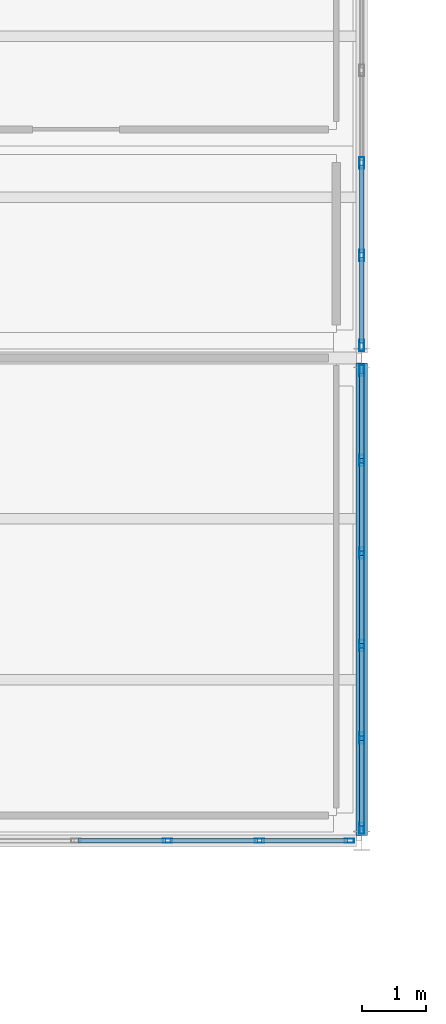
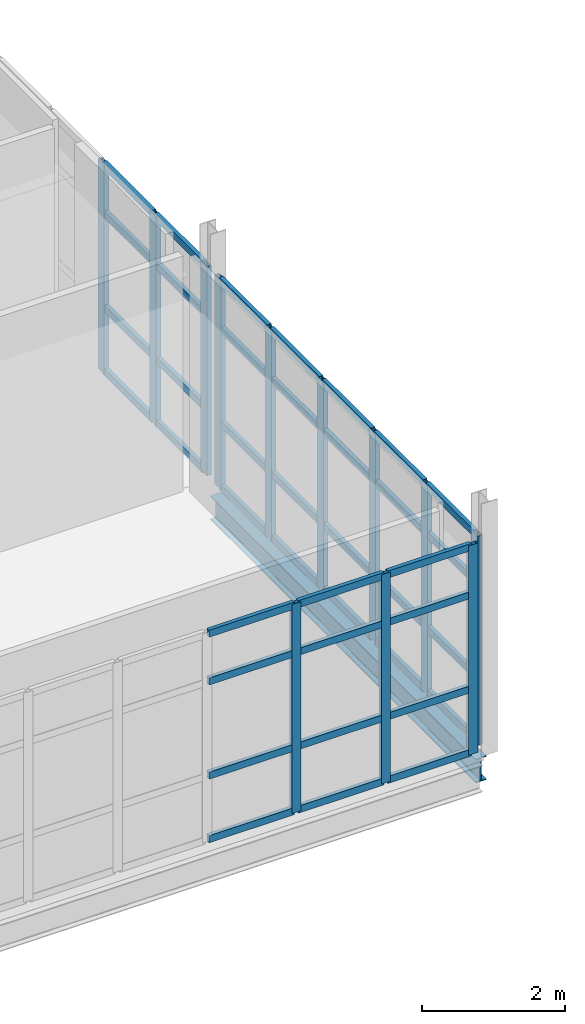
# One storey, part 76 of 174: 52 members, 1 beam, 3 elements without a shape of their own.
"""IFC4 building model written with IfcOpenShell, lengths in metres."""

from ifc_helpers import new_model, si_unit, direction, frame, origin, origin_2d, place, context, subcontext, project, spatial, hollow_rectangle, i_section, extrude, material, material_profile, profile_set, type_object, element, aggregate, save


model = new_model("IFC4")

# Units and contexts
model_context = context("Model", 3, precision=1e-05, world=origin(), true_north=direction((0.0, 1.0)))
body_context = subcontext(model_context, "Body", "Model", "MODEL_VIEW")
ifc_project = project(units=[si_unit("LENGTHUNIT", "METRE"), si_unit("AREAUNIT", "SQUARE_METRE"), si_unit("VOLUMEUNIT", "CUBIC_METRE"), si_unit("PLANEANGLEUNIT", "RADIAN"), si_unit("MASSUNIT", "GRAM", prefix="KILO")], contexts=[model_context])

# Site, building, storey
site_placement = place(None, origin())
site = spatial("IfcSite", under=ifc_project, at=site_placement, CompositionType="ELEMENT")
building_placement = place(site_placement, origin())
building = spatial("IfcBuilding", under=site, at=building_placement, Name="Caisbarro Railhouse Central Library", CompositionType="ELEMENT")
storey_placement = place(building_placement, frame((0.0, 0.0, 5.0400390625)))
storey = spatial("IfcBuildingStorey", under=building, at=storey_placement, Name="L01", CompositionType="ELEMENT", Elevation=5.0400390625)

# Beam
ifc_material_1 = material(Name="Steel ASTM A572 Grade 50", Category="steel")
ifc_material_profile_1 = material_profile(ifc_material_1, i_section(OverallWidth=0.177978515625, OverallDepth=0.406982421875, WebThickness=0.0078125, FlangeThickness=0.0126953125, FilletRadius=0.01611328125, at=origin_2d()), Name="W410X60.0")
ifc_profile_set_1 = profile_set([ifc_material_profile_1], Name="Steel ASTM A572 Grade 50")
beam_type = type_object("IfcBeamType", Name="BM-G10", PredefinedType="BEAM", material=ifc_profile_set_1)
beam_placement = place(storey_placement, frame((36.0, 83.679931640625, -0.403564453125), z_axis=(0.0, 1.0, 0.0), x_axis=(-1.0, 0.0, 0.0)))
element("IfcBeam", 1, at=beam_placement, inside=storey, type_object=beam_type, Name="G10 beam L01 #1036", PredefinedType="BEAM", context=body_context, shape_type="SweptSolid", body=[
    extrude(i_section(OverallWidth=0.177978515625, OverallDepth=0.406982421875, WebThickness=0.0078125, FlangeThickness=0.0126953125, FilletRadius=0.01611328125, at=origin_2d()), origin(), (0.0, 0.0, 1.0), 7.440185546875),
])

# Curtain wall, members
ifc_material_2 = material(Name="Anodised architectural aluminium", Category="aluminium")
curtain_wall_type = type_object("IfcCurtainWallType", Name="CW-CW02", PredefinedType="NOTDEFINED", material=ifc_material_2)
curtain_wall_1_placement = place(storey_placement, origin())
curtain_wall_1 = element("IfcCurtainWall", 2, at=curtain_wall_1_placement, inside=storey, type_object=curtain_wall_type, Name="CW02 curtain wall L01 #83", PredefinedType="NOTDEFINED")
ifc_material_profile_2 = material_profile(ifc_material_2, hollow_rectangle(XDim=0.074951171875, YDim=0.179931640625, WallThickness=0.00439453125, at=origin_2d()), Name="ALU-MUL-75X180")
ifc_profile_set_2 = profile_set([ifc_material_profile_2], Name="Anodised architectural aluminium")
member_type_1 = type_object("IfcMemberType", Name="CWM-M01", PredefinedType="MULLION", material=ifc_profile_set_2)
member_1_placement = place(storey_placement, frame((36.0, 83.797607421875, 0.0), z_axis=(0.0, 0.0, 1.0), x_axis=(-1.0, 0.0, 0.0)))
member_1 = element("IfcMember", 3, at=member_1_placement, type_object=member_type_1, Name="CW02 mullion 1", PredefinedType="MULLION", context=body_context, shape_type="SweptSolid", body=[
    extrude(hollow_rectangle(XDim=0.074951171875, YDim=0.179931640625, WallThickness=0.00439453125, at=origin_2d()), origin(), (0.0, 0.0, 1.0), 3.580078125),
])
member_2_placement = place(storey_placement, frame((36.0, 85.216064453125, 0.0), z_axis=(0.0, 0.0, 1.0), x_axis=(-1.0, 0.0, 0.0)))
member_2 = element("IfcMember", 4, at=member_2_placement, type_object=member_type_1, Name="CW02 mullion 2", PredefinedType="MULLION", context=body_context, shape_type="SweptSolid", body=[
    extrude(hollow_rectangle(XDim=0.074951171875, YDim=0.179931640625, WallThickness=0.00439453125, at=origin_2d()), origin(), (0.0, 0.0, 1.0), 3.580078125),
])
member_3_placement = place(storey_placement, frame((36.0, 86.672119140625, 0.0), z_axis=(0.0, 0.0, 1.0), x_axis=(-1.0, 0.0, 0.0)))
member_3 = element("IfcMember", 5, at=member_3_placement, type_object=member_type_1, Name="CW02 mullion 3", PredefinedType="MULLION", context=body_context, shape_type="SweptSolid", body=[
    extrude(hollow_rectangle(XDim=0.074951171875, YDim=0.179931640625, WallThickness=0.00439453125, at=origin_2d()), origin(), (0.0, 0.0, 1.0), 3.580078125),
])
member_4_placement = place(storey_placement, frame((36.0, 88.1279296875, 0.0), z_axis=(0.0, 0.0, 1.0), x_axis=(-1.0, 0.0, 0.0)))
member_4 = element("IfcMember", 6, at=member_4_placement, type_object=member_type_1, Name="CW02 mullion 4", PredefinedType="MULLION", context=body_context, shape_type="SweptSolid", body=[
    extrude(hollow_rectangle(XDim=0.074951171875, YDim=0.179931640625, WallThickness=0.00439453125, at=origin_2d()), origin(), (0.0, 0.0, 1.0), 3.580078125),
])
member_5_placement = place(storey_placement, frame((36.0, 89.583984375, 0.0), z_axis=(0.0, 0.0, 1.0), x_axis=(-1.0, 0.0, 0.0)))
member_5 = element("IfcMember", 7, at=member_5_placement, type_object=member_type_1, Name="CW02 mullion 5", PredefinedType="MULLION", context=body_context, shape_type="SweptSolid", body=[
    extrude(hollow_rectangle(XDim=0.074951171875, YDim=0.179931640625, WallThickness=0.00439453125, at=origin_2d()), origin(), (0.0, 0.0, 1.0), 3.580078125),
])
member_6_placement = place(storey_placement, frame((36.0, 91.00244140625, 0.0), z_axis=(0.0, 0.0, 1.0), x_axis=(-1.0, 0.0, 0.0)))
member_6 = element("IfcMember", 8, at=member_6_placement, type_object=member_type_1, Name="CW02 mullion 6", PredefinedType="MULLION", context=body_context, shape_type="SweptSolid", body=[
    extrude(hollow_rectangle(XDim=0.074951171875, YDim=0.179931640625, WallThickness=0.00439453125, at=origin_2d()), origin(), (0.0, 0.0, 1.0), 3.580078125),
])

curtain_wall_2_placement = place(storey_placement, origin())
curtain_wall_2 = element("IfcCurtainWall", 9, at=curtain_wall_2_placement, inside=storey, type_object=curtain_wall_type, Name="CW02 curtain wall L01 #84", PredefinedType="NOTDEFINED")
member_7_placement = place(storey_placement, frame((36.0, 91.3974609375, 0.0), z_axis=(0.0, 0.0, 1.0), x_axis=(-1.0, 0.0, 0.0)))
member_7 = element("IfcMember", 10, at=member_7_placement, type_object=member_type_1, Name="CW02 mullion 1", PredefinedType="MULLION", context=body_context, shape_type="SweptSolid", body=[
    extrude(hollow_rectangle(XDim=0.074951171875, YDim=0.179931640625, WallThickness=0.00439453125, at=origin_2d()), origin(), (0.0, 0.0, 1.0), 3.580078125),
])
member_8_placement = place(storey_placement, frame((36.0, 92.81591796875, 0.0), z_axis=(0.0, 0.0, 1.0), x_axis=(-1.0, 0.0, 0.0)))
member_8 = element("IfcMember", 11, at=member_8_placement, type_object=member_type_1, Name="CW02 mullion 2", PredefinedType="MULLION", context=body_context, shape_type="SweptSolid", body=[
    extrude(hollow_rectangle(XDim=0.074951171875, YDim=0.179931640625, WallThickness=0.00439453125, at=origin_2d()), origin(), (0.0, 0.0, 1.0), 3.580078125),
])
member_9_placement = place(storey_placement, frame((36.0, 94.27197265625, 0.0), z_axis=(0.0, 0.0, 1.0), x_axis=(-1.0, 0.0, 0.0)))
member_9 = element("IfcMember", 12, at=member_9_placement, type_object=member_type_1, Name="CW02 mullion 3", PredefinedType="MULLION", context=body_context, shape_type="SweptSolid", body=[
    extrude(hollow_rectangle(XDim=0.074951171875, YDim=0.179931640625, WallThickness=0.00439453125, at=origin_2d()), origin(), (0.0, 0.0, 1.0), 3.580078125),
])

curtain_wall_3_placement = place(storey_placement, origin())
curtain_wall_3 = element("IfcCurtainWall", 13, at=curtain_wall_3_placement, inside=storey, type_object=curtain_wall_type, Name="CW02 curtain wall L01 #82", PredefinedType="NOTDEFINED")
ifc_material_profile_3 = material_profile(ifc_material_2, hollow_rectangle(XDim=0.06494140625, YDim=0.14990234375, WallThickness=0.00390625, at=origin_2d()), Name="ALU-MUL-65X150")
ifc_profile_set_3 = profile_set([ifc_material_profile_3], Name="Anodised architectural aluminium")
member_type_2 = type_object("IfcMemberType", Name="CWM-M02", PredefinedType="MULLION", material=ifc_profile_set_3)
member_10_placement = place(storey_placement, frame((32.94677734375, 83.60009765625, 0.0), z_axis=(0.0, 0.0, 1.0), x_axis=(0.0, 1.0, 0.0)))
member_10 = element("IfcMember", 14, at=member_10_placement, type_object=member_type_2, Name="CW02 mullion 5", PredefinedType="MULLION", context=body_context, shape_type="SweptSolid", body=[
    extrude(hollow_rectangle(XDim=0.06494140625, YDim=0.14990234375, WallThickness=0.00390625, at=origin_2d()), origin(), (0.0, 0.0, 1.0), 3.580078125),
])
member_11_placement = place(storey_placement, frame((34.393310546875, 83.60009765625, 0.0), z_axis=(0.0, 0.0, 1.0), x_axis=(0.0, 1.0, 0.0)))
member_11 = element("IfcMember", 15, at=member_11_placement, type_object=member_type_2, Name="CW02 mullion 6", PredefinedType="MULLION", context=body_context, shape_type="SweptSolid", body=[
    extrude(hollow_rectangle(XDim=0.06494140625, YDim=0.14990234375, WallThickness=0.00390625, at=origin_2d()), origin(), (0.0, 0.0, 1.0), 3.580078125),
])
member_12_placement = place(storey_placement, frame((35.8076171875, 83.60009765625, 0.0), z_axis=(0.0, 0.0, 1.0), x_axis=(0.0, 1.0, 0.0)))
member_12 = element("IfcMember", 16, at=member_12_placement, type_object=member_type_2, Name="CW02 mullion 7", PredefinedType="MULLION", context=body_context, shape_type="SweptSolid", body=[
    extrude(hollow_rectangle(XDim=0.06494140625, YDim=0.14990234375, WallThickness=0.00390625, at=origin_2d()), origin(), (0.0, 0.0, 1.0), 3.580078125),
])
ifc_material_profile_4 = material_profile(ifc_material_2, hollow_rectangle(XDim=0.06494140625, YDim=0.1201171875, WallThickness=0.00341796875, at=origin_2d()), Name="ALU-TRN-65X120")
ifc_profile_set_4 = profile_set([ifc_material_profile_4], Name="Anodised architectural aluminium")
member_type_3 = type_object("IfcMemberType", Name="CWT-T02", PredefinedType="USERDEFINED", material=ifc_profile_set_4)
member_13_placement = place(storey_placement, frame((31.532470703125, 83.60009765625, 0.032470703125), z_axis=(1.0, 0.0, 0.0), x_axis=(0.0, 1.0, 0.0)))
member_13 = element("IfcMember", 17, at=member_13_placement, type_object=member_type_3, Name="CW02 transom 4.1", ObjectType="TRANSOM", PredefinedType="USERDEFINED", context=body_context, shape_type="SweptSolid", body=[
    extrude(hollow_rectangle(XDim=0.06494140625, YDim=0.1201171875, WallThickness=0.00341796875, at=origin_2d()), origin(), (0.0, 0.0, 1.0), 1.381591796875),
])
member_14_placement = place(storey_placement, frame((31.532470703125, 83.60009765625, 1.119873046875), z_axis=(1.0, 0.0, 0.0), x_axis=(0.0, 1.0, 0.0)))
member_14 = element("IfcMember", 18, at=member_14_placement, type_object=member_type_3, Name="CW02 transom 4.2", ObjectType="TRANSOM", PredefinedType="USERDEFINED", context=body_context, shape_type="SweptSolid", body=[
    extrude(hollow_rectangle(XDim=0.06494140625, YDim=0.1201171875, WallThickness=0.00341796875, at=origin_2d()), origin(), (0.0, 0.0, 1.0), 1.381591796875),
])
member_15_placement = place(storey_placement, frame((31.532470703125, 83.60009765625, 2.72998046875), z_axis=(1.0, 0.0, 0.0), x_axis=(0.0, 1.0, 0.0)))
member_15 = element("IfcMember", 19, at=member_15_placement, type_object=member_type_3, Name="CW02 transom 4.3", ObjectType="TRANSOM", PredefinedType="USERDEFINED", context=body_context, shape_type="SweptSolid", body=[
    extrude(hollow_rectangle(XDim=0.06494140625, YDim=0.1201171875, WallThickness=0.00341796875, at=origin_2d()), origin(), (0.0, 0.0, 1.0), 1.381591796875),
])
member_16_placement = place(storey_placement, frame((31.532470703125, 83.60009765625, 3.54736328125), z_axis=(1.0, 0.0, 0.0), x_axis=(0.0, 1.0, 0.0)))
member_16 = element("IfcMember", 20, at=member_16_placement, type_object=member_type_3, Name="CW02 transom 4.4", ObjectType="TRANSOM", PredefinedType="USERDEFINED", context=body_context, shape_type="SweptSolid", body=[
    extrude(hollow_rectangle(XDim=0.06494140625, YDim=0.1201171875, WallThickness=0.00341796875, at=origin_2d()), origin(), (0.0, 0.0, 1.0), 1.381591796875),
])
member_17_placement = place(storey_placement, frame((32.979248046875, 83.60009765625, 0.032470703125), z_axis=(1.0, 0.0, 0.0), x_axis=(0.0, 1.0, 0.0)))
member_17 = element("IfcMember", 21, at=member_17_placement, type_object=member_type_3, Name="CW02 transom 5.1", ObjectType="TRANSOM", PredefinedType="USERDEFINED", context=body_context, shape_type="SweptSolid", body=[
    extrude(hollow_rectangle(XDim=0.06494140625, YDim=0.1201171875, WallThickness=0.00341796875, at=origin_2d()), origin(), (0.0, 0.0, 1.0), 1.381591796875),
])
member_18_placement = place(storey_placement, frame((32.979248046875, 83.60009765625, 1.119873046875), z_axis=(1.0, 0.0, 0.0), x_axis=(0.0, 1.0, 0.0)))
member_18 = element("IfcMember", 22, at=member_18_placement, type_object=member_type_3, Name="CW02 transom 5.2", ObjectType="TRANSOM", PredefinedType="USERDEFINED", context=body_context, shape_type="SweptSolid", body=[
    extrude(hollow_rectangle(XDim=0.06494140625, YDim=0.1201171875, WallThickness=0.00341796875, at=origin_2d()), origin(), (0.0, 0.0, 1.0), 1.381591796875),
])
member_19_placement = place(storey_placement, frame((32.979248046875, 83.60009765625, 2.72998046875), z_axis=(1.0, 0.0, 0.0), x_axis=(0.0, 1.0, 0.0)))
member_19 = element("IfcMember", 23, at=member_19_placement, type_object=member_type_3, Name="CW02 transom 5.3", ObjectType="TRANSOM", PredefinedType="USERDEFINED", context=body_context, shape_type="SweptSolid", body=[
    extrude(hollow_rectangle(XDim=0.06494140625, YDim=0.1201171875, WallThickness=0.00341796875, at=origin_2d()), origin(), (0.0, 0.0, 1.0), 1.381591796875),
])
member_20_placement = place(storey_placement, frame((32.979248046875, 83.60009765625, 3.54736328125), z_axis=(1.0, 0.0, 0.0), x_axis=(0.0, 1.0, 0.0)))
member_20 = element("IfcMember", 24, at=member_20_placement, type_object=member_type_3, Name="CW02 transom 5.4", ObjectType="TRANSOM", PredefinedType="USERDEFINED", context=body_context, shape_type="SweptSolid", body=[
    extrude(hollow_rectangle(XDim=0.06494140625, YDim=0.1201171875, WallThickness=0.00341796875, at=origin_2d()), origin(), (0.0, 0.0, 1.0), 1.381591796875),
])
member_21_placement = place(storey_placement, frame((34.42578125, 83.60009765625, 0.032470703125), z_axis=(1.0, 0.0, 0.0), x_axis=(0.0, 1.0, 0.0)))
member_21 = element("IfcMember", 25, at=member_21_placement, type_object=member_type_3, Name="CW02 transom 6.1", ObjectType="TRANSOM", PredefinedType="USERDEFINED", context=body_context, shape_type="SweptSolid", body=[
    extrude(hollow_rectangle(XDim=0.06494140625, YDim=0.1201171875, WallThickness=0.00341796875, at=origin_2d()), origin(), (0.0, 0.0, 1.0), 1.34912109375),
])
member_22_placement = place(storey_placement, frame((34.42578125, 83.60009765625, 1.119873046875), z_axis=(1.0, 0.0, 0.0), x_axis=(0.0, 1.0, 0.0)))
member_22 = element("IfcMember", 26, at=member_22_placement, type_object=member_type_3, Name="CW02 transom 6.2", ObjectType="TRANSOM", PredefinedType="USERDEFINED", context=body_context, shape_type="SweptSolid", body=[
    extrude(hollow_rectangle(XDim=0.06494140625, YDim=0.1201171875, WallThickness=0.00341796875, at=origin_2d()), origin(), (0.0, 0.0, 1.0), 1.34912109375),
])
member_23_placement = place(storey_placement, frame((34.42578125, 83.60009765625, 2.72998046875), z_axis=(1.0, 0.0, 0.0), x_axis=(0.0, 1.0, 0.0)))
member_23 = element("IfcMember", 27, at=member_23_placement, type_object=member_type_3, Name="CW02 transom 6.3", ObjectType="TRANSOM", PredefinedType="USERDEFINED", context=body_context, shape_type="SweptSolid", body=[
    extrude(hollow_rectangle(XDim=0.06494140625, YDim=0.1201171875, WallThickness=0.00341796875, at=origin_2d()), origin(), (0.0, 0.0, 1.0), 1.34912109375),
])
member_24_placement = place(storey_placement, frame((34.42578125, 83.60009765625, 3.54736328125), z_axis=(1.0, 0.0, 0.0), x_axis=(0.0, 1.0, 0.0)))
member_24 = element("IfcMember", 28, at=member_24_placement, type_object=member_type_3, Name="CW02 transom 6.4", ObjectType="TRANSOM", PredefinedType="USERDEFINED", context=body_context, shape_type="SweptSolid", body=[
    extrude(hollow_rectangle(XDim=0.06494140625, YDim=0.1201171875, WallThickness=0.00341796875, at=origin_2d()), origin(), (0.0, 0.0, 1.0), 1.34912109375),
])
aggregate(curtain_wall_3, [member_10, member_11, member_12, member_13, member_14, member_15, member_16, member_17, member_18, member_19, member_20, member_21, member_22, member_23, member_24])

# Member
member_25_placement = place(storey_placement, frame((36.0, 83.8349609375, 0.032470703125), z_axis=(0.0, 1.0, 0.0), x_axis=(-1.0, 0.0, 0.0)))
member_25 = element("IfcMember", 29, at=member_25_placement, type_object=member_type_3, Name="CW02 transom 1.1", ObjectType="TRANSOM", PredefinedType="USERDEFINED", context=body_context, shape_type="SweptSolid", body=[
    extrude(hollow_rectangle(XDim=0.06494140625, YDim=0.1201171875, WallThickness=0.00341796875, at=origin_2d()), origin(), (0.0, 0.0, 1.0), 1.343505859375),
])

member_26_placement = place(storey_placement, frame((36.0, 83.8349609375, 1.119873046875), z_axis=(0.0, 1.0, 0.0), x_axis=(-1.0, 0.0, 0.0)))
member_26 = element("IfcMember", 30, at=member_26_placement, type_object=member_type_3, Name="CW02 transom 1.2", ObjectType="TRANSOM", PredefinedType="USERDEFINED", context=body_context, shape_type="SweptSolid", body=[
    extrude(hollow_rectangle(XDim=0.06494140625, YDim=0.1201171875, WallThickness=0.00341796875, at=origin_2d()), origin(), (0.0, 0.0, 1.0), 1.343505859375),
])

member_27_placement = place(storey_placement, frame((36.0, 83.8349609375, 2.72998046875), z_axis=(0.0, 1.0, 0.0), x_axis=(-1.0, 0.0, 0.0)))
member_27 = element("IfcMember", 31, at=member_27_placement, type_object=member_type_3, Name="CW02 transom 1.3", ObjectType="TRANSOM", PredefinedType="USERDEFINED", context=body_context, shape_type="SweptSolid", body=[
    extrude(hollow_rectangle(XDim=0.06494140625, YDim=0.1201171875, WallThickness=0.00341796875, at=origin_2d()), origin(), (0.0, 0.0, 1.0), 1.343505859375),
])

member_28_placement = place(storey_placement, frame((36.0, 83.8349609375, 3.54736328125), z_axis=(0.0, 1.0, 0.0), x_axis=(-1.0, 0.0, 0.0)))
member_28 = element("IfcMember", 32, at=member_28_placement, type_object=member_type_3, Name="CW02 transom 1.4", ObjectType="TRANSOM", PredefinedType="USERDEFINED", context=body_context, shape_type="SweptSolid", body=[
    extrude(hollow_rectangle(XDim=0.06494140625, YDim=0.1201171875, WallThickness=0.00341796875, at=origin_2d()), origin(), (0.0, 0.0, 1.0), 1.343505859375),
])

member_29_placement = place(storey_placement, frame((36.0, 85.25341796875, 0.032470703125), z_axis=(0.0, 1.0, 0.0), x_axis=(-1.0, 0.0, 0.0)))
member_29 = element("IfcMember", 33, at=member_29_placement, type_object=member_type_3, Name="CW02 transom 2.1", ObjectType="TRANSOM", PredefinedType="USERDEFINED", context=body_context, shape_type="SweptSolid", body=[
    extrude(hollow_rectangle(XDim=0.06494140625, YDim=0.1201171875, WallThickness=0.00341796875, at=origin_2d()), origin(), (0.0, 0.0, 1.0), 1.381103515625),
])

member_30_placement = place(storey_placement, frame((36.0, 85.25341796875, 1.119873046875), z_axis=(0.0, 1.0, 0.0), x_axis=(-1.0, 0.0, 0.0)))
member_30 = element("IfcMember", 34, at=member_30_placement, type_object=member_type_3, Name="CW02 transom 2.2", ObjectType="TRANSOM", PredefinedType="USERDEFINED", context=body_context, shape_type="SweptSolid", body=[
    extrude(hollow_rectangle(XDim=0.06494140625, YDim=0.1201171875, WallThickness=0.00341796875, at=origin_2d()), origin(), (0.0, 0.0, 1.0), 1.381103515625),
])

member_31_placement = place(storey_placement, frame((36.0, 85.25341796875, 2.72998046875), z_axis=(0.0, 1.0, 0.0), x_axis=(-1.0, 0.0, 0.0)))
member_31 = element("IfcMember", 35, at=member_31_placement, type_object=member_type_3, Name="CW02 transom 2.3", ObjectType="TRANSOM", PredefinedType="USERDEFINED", context=body_context, shape_type="SweptSolid", body=[
    extrude(hollow_rectangle(XDim=0.06494140625, YDim=0.1201171875, WallThickness=0.00341796875, at=origin_2d()), origin(), (0.0, 0.0, 1.0), 1.381103515625),
])

member_32_placement = place(storey_placement, frame((36.0, 85.25341796875, 3.54736328125), z_axis=(0.0, 1.0, 0.0), x_axis=(-1.0, 0.0, 0.0)))
member_32 = element("IfcMember", 36, at=member_32_placement, type_object=member_type_3, Name="CW02 transom 2.4", ObjectType="TRANSOM", PredefinedType="USERDEFINED", context=body_context, shape_type="SweptSolid", body=[
    extrude(hollow_rectangle(XDim=0.06494140625, YDim=0.1201171875, WallThickness=0.00341796875, at=origin_2d()), origin(), (0.0, 0.0, 1.0), 1.381103515625),
])

member_33_placement = place(storey_placement, frame((36.0, 86.70947265625, 0.032470703125), z_axis=(0.0, 1.0, 0.0), x_axis=(-1.0, 0.0, 0.0)))
member_33 = element("IfcMember", 37, at=member_33_placement, type_object=member_type_3, Name="CW02 transom 3.1", ObjectType="TRANSOM", PredefinedType="USERDEFINED", context=body_context, shape_type="SweptSolid", body=[
    extrude(hollow_rectangle(XDim=0.06494140625, YDim=0.1201171875, WallThickness=0.00341796875, at=origin_2d()), origin(), (0.0, 0.0, 1.0), 1.381103515625),
])

member_34_placement = place(storey_placement, frame((36.0, 86.70947265625, 1.119873046875), z_axis=(0.0, 1.0, 0.0), x_axis=(-1.0, 0.0, 0.0)))
member_34 = element("IfcMember", 38, at=member_34_placement, type_object=member_type_3, Name="CW02 transom 3.2", ObjectType="TRANSOM", PredefinedType="USERDEFINED", context=body_context, shape_type="SweptSolid", body=[
    extrude(hollow_rectangle(XDim=0.06494140625, YDim=0.1201171875, WallThickness=0.00341796875, at=origin_2d()), origin(), (0.0, 0.0, 1.0), 1.381103515625),
])

member_35_placement = place(storey_placement, frame((36.0, 86.70947265625, 2.72998046875), z_axis=(0.0, 1.0, 0.0), x_axis=(-1.0, 0.0, 0.0)))
member_35 = element("IfcMember", 39, at=member_35_placement, type_object=member_type_3, Name="CW02 transom 3.3", ObjectType="TRANSOM", PredefinedType="USERDEFINED", context=body_context, shape_type="SweptSolid", body=[
    extrude(hollow_rectangle(XDim=0.06494140625, YDim=0.1201171875, WallThickness=0.00341796875, at=origin_2d()), origin(), (0.0, 0.0, 1.0), 1.381103515625),
])

member_36_placement = place(storey_placement, frame((36.0, 86.70947265625, 3.54736328125), z_axis=(0.0, 1.0, 0.0), x_axis=(-1.0, 0.0, 0.0)))
member_36 = element("IfcMember", 40, at=member_36_placement, type_object=member_type_3, Name="CW02 transom 3.4", ObjectType="TRANSOM", PredefinedType="USERDEFINED", context=body_context, shape_type="SweptSolid", body=[
    extrude(hollow_rectangle(XDim=0.06494140625, YDim=0.1201171875, WallThickness=0.00341796875, at=origin_2d()), origin(), (0.0, 0.0, 1.0), 1.381103515625),
])

member_37_placement = place(storey_placement, frame((36.0, 88.16552734375, 0.032470703125), z_axis=(0.0, 1.0, 0.0), x_axis=(-1.0, 0.0, 0.0)))
member_37 = element("IfcMember", 41, at=member_37_placement, type_object=member_type_3, Name="CW02 transom 4.1", ObjectType="TRANSOM", PredefinedType="USERDEFINED", context=body_context, shape_type="SweptSolid", body=[
    extrude(hollow_rectangle(XDim=0.06494140625, YDim=0.1201171875, WallThickness=0.00341796875, at=origin_2d()), origin(), (0.0, 0.0, 1.0), 1.380859375),
])

member_38_placement = place(storey_placement, frame((36.0, 88.16552734375, 1.119873046875), z_axis=(0.0, 1.0, 0.0), x_axis=(-1.0, 0.0, 0.0)))
member_38 = element("IfcMember", 42, at=member_38_placement, type_object=member_type_3, Name="CW02 transom 4.2", ObjectType="TRANSOM", PredefinedType="USERDEFINED", context=body_context, shape_type="SweptSolid", body=[
    extrude(hollow_rectangle(XDim=0.06494140625, YDim=0.1201171875, WallThickness=0.00341796875, at=origin_2d()), origin(), (0.0, 0.0, 1.0), 1.380859375),
])

member_39_placement = place(storey_placement, frame((36.0, 88.16552734375, 2.72998046875), z_axis=(0.0, 1.0, 0.0), x_axis=(-1.0, 0.0, 0.0)))
member_39 = element("IfcMember", 43, at=member_39_placement, type_object=member_type_3, Name="CW02 transom 4.3", ObjectType="TRANSOM", PredefinedType="USERDEFINED", context=body_context, shape_type="SweptSolid", body=[
    extrude(hollow_rectangle(XDim=0.06494140625, YDim=0.1201171875, WallThickness=0.00341796875, at=origin_2d()), origin(), (0.0, 0.0, 1.0), 1.380859375),
])

member_40_placement = place(storey_placement, frame((36.0, 88.16552734375, 3.54736328125), z_axis=(0.0, 1.0, 0.0), x_axis=(-1.0, 0.0, 0.0)))
member_40 = element("IfcMember", 44, at=member_40_placement, type_object=member_type_3, Name="CW02 transom 4.4", ObjectType="TRANSOM", PredefinedType="USERDEFINED", context=body_context, shape_type="SweptSolid", body=[
    extrude(hollow_rectangle(XDim=0.06494140625, YDim=0.1201171875, WallThickness=0.00341796875, at=origin_2d()), origin(), (0.0, 0.0, 1.0), 1.380859375),
])

member_41_placement = place(storey_placement, frame((36.0, 89.62158203125, 0.032470703125), z_axis=(0.0, 1.0, 0.0), x_axis=(-1.0, 0.0, 0.0)))
member_41 = element("IfcMember", 45, at=member_41_placement, type_object=member_type_3, Name="CW02 transom 5.1", ObjectType="TRANSOM", PredefinedType="USERDEFINED", context=body_context, shape_type="SweptSolid", body=[
    extrude(hollow_rectangle(XDim=0.06494140625, YDim=0.1201171875, WallThickness=0.00341796875, at=origin_2d()), origin(), (0.0, 0.0, 1.0), 1.343505859375),
])

member_42_placement = place(storey_placement, frame((36.0, 89.62158203125, 1.119873046875), z_axis=(0.0, 1.0, 0.0), x_axis=(-1.0, 0.0, 0.0)))
member_42 = element("IfcMember", 46, at=member_42_placement, type_object=member_type_3, Name="CW02 transom 5.2", ObjectType="TRANSOM", PredefinedType="USERDEFINED", context=body_context, shape_type="SweptSolid", body=[
    extrude(hollow_rectangle(XDim=0.06494140625, YDim=0.1201171875, WallThickness=0.00341796875, at=origin_2d()), origin(), (0.0, 0.0, 1.0), 1.343505859375),
])

member_43_placement = place(storey_placement, frame((36.0, 89.62158203125, 2.72998046875), z_axis=(0.0, 1.0, 0.0), x_axis=(-1.0, 0.0, 0.0)))
member_43 = element("IfcMember", 47, at=member_43_placement, type_object=member_type_3, Name="CW02 transom 5.3", ObjectType="TRANSOM", PredefinedType="USERDEFINED", context=body_context, shape_type="SweptSolid", body=[
    extrude(hollow_rectangle(XDim=0.06494140625, YDim=0.1201171875, WallThickness=0.00341796875, at=origin_2d()), origin(), (0.0, 0.0, 1.0), 1.343505859375),
])

member_44_placement = place(storey_placement, frame((36.0, 89.62158203125, 3.54736328125), z_axis=(0.0, 1.0, 0.0), x_axis=(-1.0, 0.0, 0.0)))
member_44 = element("IfcMember", 48, at=member_44_placement, type_object=member_type_3, Name="CW02 transom 5.4", ObjectType="TRANSOM", PredefinedType="USERDEFINED", context=body_context, shape_type="SweptSolid", body=[
    extrude(hollow_rectangle(XDim=0.06494140625, YDim=0.1201171875, WallThickness=0.00341796875, at=origin_2d()), origin(), (0.0, 0.0, 1.0), 1.343505859375),
])

aggregate(curtain_wall_1, [member_1, member_2, member_3, member_4, member_5, member_6, member_25, member_26, member_27, member_28, member_29, member_30, member_31, member_32, member_33, member_34, member_35, member_36, member_37, member_38, member_39, member_40, member_41, member_42, member_43, member_44])

member_45_placement = place(storey_placement, frame((36.0, 91.43505859375, 0.032470703125), z_axis=(0.0, 1.0, 0.0), x_axis=(-1.0, 0.0, 0.0)))
member_45 = element("IfcMember", 49, at=member_45_placement, type_object=member_type_3, Name="CW02 transom 1.1", ObjectType="TRANSOM", PredefinedType="USERDEFINED", context=body_context, shape_type="SweptSolid", body=[
    extrude(hollow_rectangle(XDim=0.06494140625, YDim=0.1201171875, WallThickness=0.00341796875, at=origin_2d()), origin(), (0.0, 0.0, 1.0), 1.343505859375),
])

member_46_placement = place(storey_placement, frame((36.0, 91.43505859375, 1.119873046875), z_axis=(0.0, 1.0, 0.0), x_axis=(-1.0, 0.0, 0.0)))
member_46 = element("IfcMember", 50, at=member_46_placement, type_object=member_type_3, Name="CW02 transom 1.2", ObjectType="TRANSOM", PredefinedType="USERDEFINED", context=body_context, shape_type="SweptSolid", body=[
    extrude(hollow_rectangle(XDim=0.06494140625, YDim=0.1201171875, WallThickness=0.00341796875, at=origin_2d()), origin(), (0.0, 0.0, 1.0), 1.343505859375),
])

member_47_placement = place(storey_placement, frame((36.0, 91.43505859375, 2.72998046875), z_axis=(0.0, 1.0, 0.0), x_axis=(-1.0, 0.0, 0.0)))
member_47 = element("IfcMember", 51, at=member_47_placement, type_object=member_type_3, Name="CW02 transom 1.3", ObjectType="TRANSOM", PredefinedType="USERDEFINED", context=body_context, shape_type="SweptSolid", body=[
    extrude(hollow_rectangle(XDim=0.06494140625, YDim=0.1201171875, WallThickness=0.00341796875, at=origin_2d()), origin(), (0.0, 0.0, 1.0), 1.343505859375),
])

member_48_placement = place(storey_placement, frame((36.0, 91.43505859375, 3.54736328125), z_axis=(0.0, 1.0, 0.0), x_axis=(-1.0, 0.0, 0.0)))
member_48 = element("IfcMember", 52, at=member_48_placement, type_object=member_type_3, Name="CW02 transom 1.4", ObjectType="TRANSOM", PredefinedType="USERDEFINED", context=body_context, shape_type="SweptSolid", body=[
    extrude(hollow_rectangle(XDim=0.06494140625, YDim=0.1201171875, WallThickness=0.00341796875, at=origin_2d()), origin(), (0.0, 0.0, 1.0), 1.343505859375),
])

member_49_placement = place(storey_placement, frame((36.0, 92.853515625, 0.032470703125), z_axis=(0.0, 1.0, 0.0), x_axis=(-1.0, 0.0, 0.0)))
member_49 = element("IfcMember", 53, at=member_49_placement, type_object=member_type_3, Name="CW02 transom 2.1", ObjectType="TRANSOM", PredefinedType="USERDEFINED", context=body_context, shape_type="SweptSolid", body=[
    extrude(hollow_rectangle(XDim=0.06494140625, YDim=0.1201171875, WallThickness=0.00341796875, at=origin_2d()), origin(), (0.0, 0.0, 1.0), 1.381103515625),
])

member_50_placement = place(storey_placement, frame((36.0, 92.853515625, 1.119873046875), z_axis=(0.0, 1.0, 0.0), x_axis=(-1.0, 0.0, 0.0)))
member_50 = element("IfcMember", 54, at=member_50_placement, type_object=member_type_3, Name="CW02 transom 2.2", ObjectType="TRANSOM", PredefinedType="USERDEFINED", context=body_context, shape_type="SweptSolid", body=[
    extrude(hollow_rectangle(XDim=0.06494140625, YDim=0.1201171875, WallThickness=0.00341796875, at=origin_2d()), origin(), (0.0, 0.0, 1.0), 1.381103515625),
])

member_51_placement = place(storey_placement, frame((36.0, 92.853515625, 2.72998046875), z_axis=(0.0, 1.0, 0.0), x_axis=(-1.0, 0.0, 0.0)))
member_51 = element("IfcMember", 55, at=member_51_placement, type_object=member_type_3, Name="CW02 transom 2.3", ObjectType="TRANSOM", PredefinedType="USERDEFINED", context=body_context, shape_type="SweptSolid", body=[
    extrude(hollow_rectangle(XDim=0.06494140625, YDim=0.1201171875, WallThickness=0.00341796875, at=origin_2d()), origin(), (0.0, 0.0, 1.0), 1.381103515625),
])

member_52_placement = place(storey_placement, frame((36.0, 92.853515625, 3.54736328125), z_axis=(0.0, 1.0, 0.0), x_axis=(-1.0, 0.0, 0.0)))
member_52 = element("IfcMember", 56, at=member_52_placement, type_object=member_type_3, Name="CW02 transom 2.4", ObjectType="TRANSOM", PredefinedType="USERDEFINED", context=body_context, shape_type="SweptSolid", body=[
    extrude(hollow_rectangle(XDim=0.06494140625, YDim=0.1201171875, WallThickness=0.00341796875, at=origin_2d()), origin(), (0.0, 0.0, 1.0), 1.381103515625),
])

aggregate(curtain_wall_2, [member_7, member_8, member_9, member_45, member_46, member_47, member_48, member_49, member_50, member_51, member_52])

save(model, "model.ifc")
